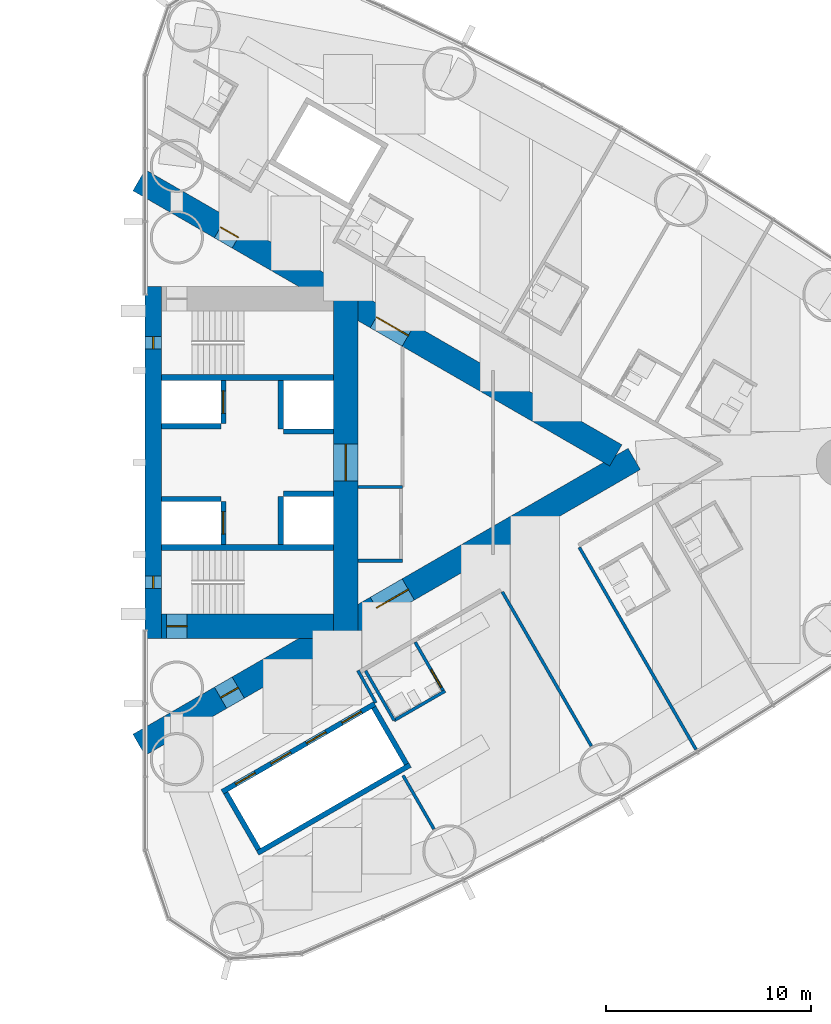
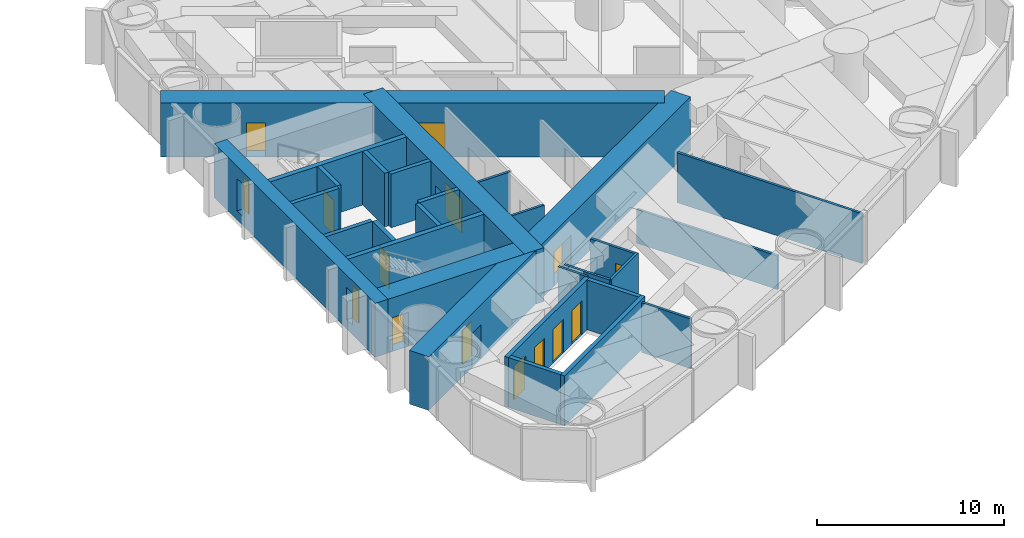
# One storey, part 13 of 18: 28 walls, 13 doors, 2 windows, 15 openings.
"""IFC4 building model written with IfcOpenShell, lengths in metres."""

from ifc_helpers import new_model, si_unit, direction, frame, frame_2d, origin, place, context, subcontext, project, spatial, rectangle, extrude, material, layer, layer_set, type_object, element, fill, save


model = new_model("IFC4")

# Units and contexts
model_context = context("Model", 3, precision=1e-05, world=origin(), true_north=direction((0.0, 1.0)))
body_context = subcontext(model_context, "Body", "Model", "MODEL_VIEW")
ifc_project = project(units=[si_unit("LENGTHUNIT", "METRE"), si_unit("AREAUNIT", "SQUARE_METRE"), si_unit("VOLUMEUNIT", "CUBIC_METRE"), si_unit("PLANEANGLEUNIT", "RADIAN"), si_unit("MASSUNIT", "GRAM", prefix="KILO")], contexts=[model_context])

# Site, building, storey
site_placement = place(None, origin())
site = spatial("IfcSite", under=ifc_project, at=site_placement, CompositionType="ELEMENT")
building_placement = place(site_placement, origin())
building = spatial("IfcBuilding", under=site, at=building_placement, Name="Lancet Gate Hotel", CompositionType="ELEMENT")
storey_placement = place(building_placement, frame((0.0, 0.0, 104.60009765625)))
storey = spatial("IfcBuildingStorey", under=building, at=storey_placement, Name="L27", CompositionType="ELEMENT", Elevation=104.60009765625)

# Wall
ifc_material_1 = material(Name="Moisture resistant board partition")
ifc_layer_1 = layer(ifc_material_1, 0.14990234375)
ifc_layer_set_1 = layer_set([ifc_layer_1], Name="Bathroom wall 150")
wall_type_1 = type_object("IfcWallType", Name="Bathroom wall 150", PredefinedType="PARTITIONING", material=ifc_layer_set_1)
wall_1_placement = place(storey_placement, frame((39.669921875, -12.60498046875, 0.0), z_axis=(0.0, 0.0, 1.0), x_axis=(0.866018712932, 0.500011588718, 0.0)))
element("IfcWall", 1, at=wall_1_placement, inside=storey, type_object=wall_type_1, Name="T2 bathroom wall 150 L27", PredefinedType="PARTITIONING", context=body_context, shape_type="SweptSolid", body=[
    extrude(rectangle(XDim=2.875, YDim=0.14990234375, at=frame_2d((1.4375, 0.0))), origin(), (0.0, 0.0, 1.0), 3.25),
])

# Wall, opening, door
wall_2_placement = place(storey_placement, frame((40.694580078125, -8.780029296875, 0.0), z_axis=(0.0, 0.0, 1.0), x_axis=(0.500049511043, -0.865996816683, 0.0)))
wall_2 = element("IfcWall", 2, at=wall_2_placement, inside=storey, type_object=wall_type_1, Name="T2 bathroom wall 150 L27", PredefinedType="PARTITIONING", context=body_context, shape_type="SweptSolid", body=[
    extrude(rectangle(XDim=2.800048828125, YDim=0.14990234375, at=frame_2d((1.39990234375, 0.0))), origin(), (0.0, 0.0, 1.0), 3.25),
])
opening_1_placement = place(wall_2_placement, frame((1.550048828125, 0.0, 0.0)))
opening_1 = element("IfcOpeningElement", 3, at=opening_1_placement, cuts=wall_2, Name="Opening 2753-B", PredefinedType="OPENING", context=body_context, shape_type="SweptSolid", body=[
    extrude(rectangle(XDim=1.0, YDim=2.199951171875, at=frame_2d((0.5, 1.10009765625))), frame((0.0, 0.0849609375, 0.0), z_axis=(0.0, -1.0, 0.0), x_axis=(1.0, 0.0, 0.0)), (0.0, 0.0, 1.0), 0.169921875),
])
ifc_material_2 = material(Name="Timber door set", Category="wood")
door_type_1 = type_object("IfcDoorType", Name="Accessible en-suite door 1000", OperationType="SINGLE_SWING_RIGHT", PredefinedType="DOOR", material=ifc_material_2)
door_1_placement = place(opening_1_placement, origin())
door_1 = element("IfcDoor", 4, at=door_1_placement, inside=storey, type_object=door_type_1, Name="2753-B", OperationType="SINGLE_SWING_RIGHT", OverallHeight=2.199951171875, OverallWidth=1.0, PredefinedType="DOOR", context=body_context, shape_type="SweptSolid", body=[
    extrude(rectangle(XDim=1.0, YDim=2.199951171875, at=frame_2d((0.5, 1.10009765625))), frame((0.0, 0.02490234375, 0.0), z_axis=(0.0, -1.0, 0.0), x_axis=(1.0, 0.0, 0.0)), (0.0, 0.0, 1.0), 0.050048828125),
])
fill(opening_1, door_1)

# Wall
wall_3_placement = place(storey_placement, frame((38.269775390625, -10.18017578125, 0.0), z_axis=(0.0, 0.0, 1.0), x_axis=(0.500049511043, -0.865996816683, 0.0)))
element("IfcWall", 5, at=wall_3_placement, inside=storey, type_object=wall_type_1, Name="T2 bathroom wall 150 L27", PredefinedType="PARTITIONING", context=body_context, shape_type="SweptSolid", body=[
    extrude(rectangle(XDim=2.800048828125, YDim=0.14990234375, at=frame_2d((1.39990234375, 0.0))), origin(), (0.0, 0.0, 1.0), 3.25),
])

# Wall, openings, doors
ifc_material_3 = material(Name="Concrete C70/85", Category="concrete")
ifc_layer_2 = layer(ifc_material_3, 1.199951171875)
ifc_layer_set_2 = layer_set([ifc_layer_2], Name="Buttress wall 1200")
wall_type_2 = type_object("IfcWallType", Name="Buttress wall 1200", PredefinedType="SHEAR", material=ifc_layer_set_2)
wall_4_placement = place(storey_placement, frame((27.199951171875, -13.800048828125, 0.0), z_axis=(0.0, 0.0, 1.0), x_axis=(0.866027159892, 0.499996958321, 0.0)))
wall_4 = element("IfcWall", 6, at=wall_4_placement, inside=storey, type_object=wall_type_2, Name="T2 buttress wall S L27", PredefinedType="SHEAR", context=body_context, shape_type="SweptSolid", body=[
    extrude(rectangle(XDim=27.946533203125, YDim=1.199951171875, at=frame_2d((13.97314453125, 0.0))), origin(), (0.0, 0.0, 1.0), 3.5),
])
opening_2_placement = place(wall_4_placement, frame((4.60009765625, 0.0, 0.0)))
opening_2 = element("IfcOpeningElement", 7, at=opening_2_placement, cuts=wall_4, Name="Opening T2-L27-LS", PredefinedType="OPENING", context=body_context, shape_type="SweptSolid", body=[
    extrude(rectangle(XDim=1.0, YDim=2.199951171875, at=frame_2d((0.5, 1.10009765625))), frame((0.0, 0.60986328125, 0.0), z_axis=(0.0, -1.0, 0.0), x_axis=(1.0, 0.0, 0.0)), (0.0, 0.0, 1.0), 1.219970703125),
])
opening_3_placement = place(wall_4_placement, frame((13.39453125, 0.0, 0.0)))
opening_3 = element("IfcOpeningElement", 8, at=opening_3_placement, cuts=wall_4, Name="Opening T2-L27-LHS", PredefinedType="OPENING", context=body_context, shape_type="SweptSolid", body=[
    extrude(rectangle(XDim=1.800048828125, YDim=2.199951171875, at=frame_2d((0.89990234375, 1.10009765625))), frame((0.0, 0.60986328125, 0.0), z_axis=(0.0, -1.0, 0.0), x_axis=(1.0, 0.0, 0.0)), (0.0, 0.0, 1.0), 1.219970703125),
])
ifc_material_4 = material(Name="Timber door set", Category="wood")
door_type_2 = type_object("IfcDoorType", Name="Lobby double door 1800", OperationType="DOUBLE_DOOR_SINGLE_SWING", PredefinedType="DOOR", material=ifc_material_4)
door_2_placement = place(opening_3_placement, origin())
door_2 = element("IfcDoor", 9, at=door_2_placement, inside=storey, type_object=door_type_2, Name="T2-L27-LHS", OperationType="DOUBLE_DOOR_SINGLE_SWING", OverallHeight=2.199951171875, OverallWidth=1.800048828125, PredefinedType="DOOR", context=body_context, shape_type="SweptSolid", body=[
    extrude(rectangle(XDim=1.800048828125, YDim=2.199951171875, at=frame_2d((0.89990234375, 1.10009765625))), frame((0.0, 0.02490234375, 0.0), z_axis=(0.0, -1.0, 0.0), x_axis=(1.0, 0.0, 0.0)), (0.0, 0.0, 1.0), 0.050048828125),
])
fill(opening_3, door_2)
ifc_material_5 = material(Name="Timber door set", Category="wood")
door_type_3 = type_object("IfcDoorType", Name="Stair lobby door 1000", OperationType="SINGLE_SWING_LEFT", PredefinedType="DOOR", material=ifc_material_5)
door_3_placement = place(opening_2_placement, origin())
door_3 = element("IfcDoor", 10, at=door_3_placement, inside=storey, type_object=door_type_3, Name="T2-L27-LS", OperationType="SINGLE_SWING_LEFT", OverallHeight=2.199951171875, OverallWidth=1.0, PredefinedType="DOOR", context=body_context, shape_type="SweptSolid", body=[
    extrude(rectangle(XDim=1.0, YDim=2.199951171875, at=frame_2d((0.5, 1.10009765625))), frame((0.0, 0.02490234375, 0.0), z_axis=(0.0, -1.0, 0.0), x_axis=(1.0, 0.0, 0.0)), (0.0, 0.0, 1.0), 0.050048828125),
])
fill(opening_2, door_3)

wall_5_placement = place(storey_placement, frame((27.199951171875, 13.800048828125, 0.0), z_axis=(0.0, 0.0, 1.0), x_axis=(0.866024515034, -0.500001539357, 0.0)))
wall_5 = element("IfcWall", 11, at=wall_5_placement, inside=storey, type_object=wall_type_2, Name="T2 buttress wall N L27", PredefinedType="SHEAR", context=body_context, shape_type="SweptSolid", body=[
    extrude(rectangle(XDim=26.9072265625, YDim=1.199951171875, at=frame_2d((13.45361328125, 0.0))), origin(), (0.0, 0.0, 1.0), 3.5),
])
opening_4_placement = place(wall_5_placement, frame((4.60009765625, 0.0, 0.0)))
opening_4 = element("IfcOpeningElement", 12, at=opening_4_placement, cuts=wall_5, Name="Opening T2-L27-LN", PredefinedType="OPENING", context=body_context, shape_type="SweptSolid", body=[
    extrude(rectangle(XDim=1.0, YDim=2.199951171875, at=frame_2d((0.5, 1.10009765625))), frame((0.0, 0.60986328125, 0.0), z_axis=(0.0, -1.0, 0.0), x_axis=(1.0, 0.0, 0.0)), (0.0, 0.0, 1.0), 1.219970703125),
])
opening_5_placement = place(wall_5_placement, frame((13.39453125, 0.0, 0.0)))
opening_5 = element("IfcOpeningElement", 13, at=opening_5_placement, cuts=wall_5, Name="Opening T2-L27-LHN", PredefinedType="OPENING", context=body_context, shape_type="SweptSolid", body=[
    extrude(rectangle(XDim=1.800048828125, YDim=2.199951171875, at=frame_2d((0.89990234375, 1.10009765625))), frame((0.0, 0.60986328125, 0.0), z_axis=(0.0, -1.0, 0.0), x_axis=(1.0, 0.0, 0.0)), (0.0, 0.0, 1.0), 1.219970703125),
])
door_4_placement = place(opening_5_placement, origin())
door_4 = element("IfcDoor", 14, at=door_4_placement, inside=storey, type_object=door_type_2, Name="T2-L27-LHN", OperationType="DOUBLE_DOOR_SINGLE_SWING", OverallHeight=2.199951171875, OverallWidth=1.800048828125, PredefinedType="DOOR", context=body_context, shape_type="SweptSolid", body=[
    extrude(rectangle(XDim=1.800048828125, YDim=2.199951171875, at=frame_2d((0.89990234375, 1.10009765625))), frame((0.0, 0.02490234375, 0.0), z_axis=(0.0, -1.0, 0.0), x_axis=(1.0, 0.0, 0.0)), (0.0, 0.0, 1.0), 0.050048828125),
])
fill(opening_5, door_4)
door_5_placement = place(opening_4_placement, origin())
door_5 = element("IfcDoor", 15, at=door_5_placement, inside=storey, type_object=door_type_3, Name="T2-L27-LN", OperationType="SINGLE_SWING_LEFT", OverallHeight=2.199951171875, OverallWidth=1.0, PredefinedType="DOOR", context=body_context, shape_type="SweptSolid", body=[
    extrude(rectangle(XDim=1.0, YDim=2.199951171875, at=frame_2d((0.5, 1.10009765625))), frame((0.0, 0.02490234375, 0.0), z_axis=(0.0, -1.0, 0.0), x_axis=(1.0, 0.0, 0.0)), (0.0, 0.0, 1.0), 0.050048828125),
])
fill(opening_4, door_5)

# Wall, opening, door
ifc_material_6 = material(Name="Concrete C70/85", Category="concrete")
ifc_layer_3 = layer(ifc_material_6, 1.199951171875)
ifc_layer_set_3 = layer_set([ifc_layer_3], Name="Core wall 1200")
wall_type_3 = type_object("IfcWallType", Name="Core wall 1200", PredefinedType="SHEAR", material=ifc_layer_set_3)
wall_6_placement = place(storey_placement, frame((37.300048828125, -8.60009765625, 0.0), z_axis=(0.0, 0.0, 1.0), x_axis=(0.0, 1.0, 0.0)))
wall_6 = element("IfcWall", 16, at=wall_6_placement, inside=storey, type_object=wall_type_3, Name="T2 core wall back L27", PredefinedType="SHEAR", context=body_context, shape_type="SweptSolid", body=[
    extrude(rectangle(XDim=17.2001953125, YDim=1.199951171875, at=frame_2d((8.60009765625, 0.0))), origin(), (0.0, 0.0, 1.0), 3.5),
])
opening_6_placement = place(wall_6_placement, frame((7.699951171875, 0.0, 0.0)))
opening_6 = element("IfcOpeningElement", 17, at=opening_6_placement, cuts=wall_6, Name="Opening T2-L27-LL", PredefinedType="OPENING", context=body_context, shape_type="SweptSolid", body=[
    extrude(rectangle(XDim=1.800048828125, YDim=2.199951171875, at=frame_2d((0.89990234375, 1.10009765625))), frame((0.0, 0.60986328125, 0.0), z_axis=(0.0, -1.0, 0.0), x_axis=(1.0, 0.0, 0.0)), (0.0, 0.0, 1.0), 1.219970703125),
])
door_6_placement = place(opening_6_placement, origin())
door_6 = element("IfcDoor", 18, at=door_6_placement, inside=storey, type_object=door_type_2, Name="T2-L27-LL", OperationType="DOUBLE_DOOR_SINGLE_SWING", OverallHeight=2.199951171875, OverallWidth=1.800048828125, PredefinedType="DOOR", context=body_context, shape_type="SweptSolid", body=[
    extrude(rectangle(XDim=1.800048828125, YDim=2.199951171875, at=frame_2d((0.89990234375, 1.10009765625))), frame((0.0, 0.02490234375, 0.0), z_axis=(0.0, -1.0, 0.0), x_axis=(1.0, 0.0, 0.0)), (0.0, 0.0, 1.0), 0.050048828125),
])
fill(opening_6, door_6)

wall_7_placement = place(storey_placement, frame((28.300048828125, -8.0, 0.0), z_axis=(0.0, 0.0, 1.0), x_axis=(1.0, 0.0, 0.0)))
wall_7 = element("IfcWall", 19, at=wall_7_placement, inside=storey, type_object=wall_type_3, Name="T2 core wall side-S L27", PredefinedType="SHEAR", context=body_context, shape_type="SweptSolid", body=[
    extrude(rectangle(XDim=8.39990234375, YDim=1.199951171875, at=frame_2d((4.199951171875, 0.0))), origin(), (0.0, 0.0, 1.0), 3.5),
])
opening_7_placement = place(wall_7_placement, frame((0.25, 0.0, 0.0)))
opening_7 = element("IfcOpeningElement", 20, at=opening_7_placement, cuts=wall_7, Name="Opening T2-L27-ST1", PredefinedType="OPENING", context=body_context, shape_type="SweptSolid", body=[
    extrude(rectangle(XDim=1.0, YDim=2.199951171875, at=frame_2d((0.5, 1.10009765625))), frame((0.0, 0.60986328125, 0.0), z_axis=(0.0, -1.0, 0.0), x_axis=(1.0, 0.0, 0.0)), (0.0, 0.0, 1.0), 1.219970703125),
])
ifc_material_7 = material(Name="Timber door set", Category="wood")
door_type_4 = type_object("IfcDoorType", Name="Stair door 1000", OperationType="SINGLE_SWING_RIGHT", PredefinedType="DOOR", material=ifc_material_7)
door_7_placement = place(opening_7_placement, origin())
door_7 = element("IfcDoor", 21, at=door_7_placement, inside=storey, type_object=door_type_4, Name="T2-L27-ST1", OperationType="SINGLE_SWING_RIGHT", OverallHeight=2.199951171875, OverallWidth=1.0, PredefinedType="DOOR", context=body_context, shape_type="SweptSolid", body=[
    extrude(rectangle(XDim=1.0, YDim=2.199951171875, at=frame_2d((0.5, 1.10009765625))), frame((0.0, 0.02490234375, 0.0), z_axis=(0.0, -1.0, 0.0), x_axis=(1.0, 0.0, 0.0)), (0.0, 0.0, 1.0), 0.050048828125),
])
fill(opening_7, door_7)

# Wall, openings, windows
ifc_material_8 = material(Name="Concrete C70/85", Category="concrete")
ifc_layer_4 = layer(ifc_material_8, 0.800048828125)
ifc_layer_set_4 = layer_set([ifc_layer_4], Name="Core wall 800")
wall_type_4 = type_object("IfcWallType", Name="Core wall 800", PredefinedType="SHEAR", material=ifc_layer_set_4)
wall_8_placement = place(storey_placement, frame((27.89990234375, -8.60009765625, 0.0), z_axis=(0.0, 0.0, 1.0), x_axis=(0.0, 1.0, 0.0)))
wall_8 = element("IfcWall", 22, at=wall_8_placement, inside=storey, type_object=wall_type_4, Name="T2 core wall front L27", PredefinedType="SHEAR", context=body_context, shape_type="SweptSolid", body=[
    extrude(rectangle(XDim=17.2001953125, YDim=0.800048828125, at=frame_2d((8.60009765625, 0.0))), origin(), (0.0, 0.0, 1.0), 3.5),
])
opening_8_placement = place(wall_8_placement, frame((2.449951171875, 0.0, 0.60009765625)))
opening_8 = element("IfcOpeningElement", 23, at=opening_8_placement, cuts=wall_8, Name="Opening LW1", PredefinedType="OPENING", context=body_context, shape_type="SweptSolid", body=[
    extrude(rectangle(XDim=0.60009765625, YDim=2.10009765625, at=frame_2d((0.300048828125, 1.050048828125))), frame((0.0, 0.409912109375, 0.0), z_axis=(0.0, -1.0, 0.0), x_axis=(1.0, 0.0, 0.0)), (0.0, 0.0, 1.0), 0.820068359375),
])
opening_9_placement = place(wall_8_placement, frame((14.14990234375, 0.0, 0.60009765625)))
opening_9 = element("IfcOpeningElement", 24, at=opening_9_placement, cuts=wall_8, Name="Opening LW1", PredefinedType="OPENING", context=body_context, shape_type="SweptSolid", body=[
    extrude(rectangle(XDim=0.60009765625, YDim=2.10009765625, at=frame_2d((0.300048828125, 1.050048828125))), frame((0.0, 0.409912109375, 0.0), z_axis=(0.0, -1.0, 0.0), x_axis=(1.0, 0.0, 0.0)), (0.0, 0.0, 1.0), 0.820068359375),
])
ifc_material_9 = material(Name="Fire-resisting glazed steel window", Category="steel")
window_type = type_object("IfcWindowType", Name="Lancet window 600x2100", PartitioningType="SINGLE_PANEL", PredefinedType="WINDOW", material=ifc_material_9)
window_1_placement = place(opening_8_placement, origin())
window_1 = element("IfcWindow", 25, at=window_1_placement, inside=storey, type_object=window_type, Name="T2 stair window S L27", OverallHeight=2.10009765625, OverallWidth=0.60009765625, PartitioningType="SINGLE_PANEL", PredefinedType="WINDOW", context=body_context, shape_type="SweptSolid", body=[
    extrude(rectangle(XDim=0.60009765625, YDim=2.10009765625, at=frame_2d((0.300048828125, 1.050048828125))), frame((0.0, 0.030029296875, 0.0), z_axis=(0.0, -1.0, 0.0), x_axis=(1.0, 0.0, 0.0)), (0.0, 0.0, 1.0), 0.06005859375),
])
fill(opening_8, window_1)
window_2_placement = place(opening_9_placement, origin())
window_2 = element("IfcWindow", 26, at=window_2_placement, inside=storey, type_object=window_type, Name="T2 stair window N L27", OverallHeight=2.10009765625, OverallWidth=0.60009765625, PartitioningType="SINGLE_PANEL", PredefinedType="WINDOW", context=body_context, shape_type="SweptSolid", body=[
    extrude(rectangle(XDim=0.60009765625, YDim=2.10009765625, at=frame_2d((0.300048828125, 1.050048828125))), frame((0.0, 0.030029296875, 0.0), z_axis=(0.0, -1.0, 0.0), x_axis=(1.0, 0.0, 0.0)), (0.0, 0.0, 1.0), 0.06005859375),
])
fill(opening_9, window_2)

# Wall, openings, doors
ifc_material_10 = material(Name="Gypsum board partition")
ifc_layer_5 = layer(ifc_material_10, 0.25)
ifc_layer_set_5 = layer_set([ifc_layer_5], Name="Lift shaft partition 250")
wall_type_5 = type_object("IfcWallType", Name="Lift shaft partition 250", PredefinedType="PARTITIONING", material=ifc_layer_set_5)
wall_9_placement = place(storey_placement, frame((31.2705078125, -16.09716796875, 0.0), z_axis=(0.0, 0.0, 1.0), x_axis=(0.86604045752, 0.499973925258, 0.0)))
wall_9 = element("IfcWall", 27, at=wall_9_placement, inside=storey, type_object=wall_type_5, Name="T2 lift shaft wall LR L27", PredefinedType="PARTITIONING", context=body_context, shape_type="SweptSolid", body=[
    extrude(rectangle(XDim=8.60009765625, YDim=0.25, at=frame_2d((4.300048828125, 0.0))), origin(), (0.0, 0.0, 1.0), 3.25),
])
opening_10_placement = place(wall_9_placement, frame((0.75, 0.0, 0.0)))
opening_10 = element("IfcOpeningElement", 28, at=opening_10_placement, cuts=wall_9, Name="Opening T2-LR1-L27", PredefinedType="OPENING", context=body_context, shape_type="SweptSolid", body=[
    extrude(rectangle(XDim=1.10009765625, YDim=2.199951171875, at=frame_2d((0.550048828125, 1.10009765625))), frame((0.0, 0.135009765625, 0.0), z_axis=(0.0, -1.0, 0.0), x_axis=(1.0, 0.0, 0.0)), (0.0, 0.0, 1.0), 0.27001953125),
])
opening_11_placement = place(wall_9_placement, frame((2.75, 0.0, 0.0)))
opening_11 = element("IfcOpeningElement", 29, at=opening_11_placement, cuts=wall_9, Name="Opening T2-LR2-L27", PredefinedType="OPENING", context=body_context, shape_type="SweptSolid", body=[
    extrude(rectangle(XDim=1.10009765625, YDim=2.199951171875, at=frame_2d((0.550048828125, 1.10009765625))), frame((0.0, 0.135009765625, 0.0), z_axis=(0.0, -1.0, 0.0), x_axis=(1.0, 0.0, 0.0)), (0.0, 0.0, 1.0), 0.27001953125),
])
opening_12_placement = place(wall_9_placement, frame((4.75, 0.0, 0.0)))
opening_12 = element("IfcOpeningElement", 30, at=opening_12_placement, cuts=wall_9, Name="Opening T2-LR3-L27", PredefinedType="OPENING", context=body_context, shape_type="SweptSolid", body=[
    extrude(rectangle(XDim=1.10009765625, YDim=2.199951171875, at=frame_2d((0.550048828125, 1.10009765625))), frame((0.0, 0.135009765625, 0.0), z_axis=(0.0, -1.0, 0.0), x_axis=(1.0, 0.0, 0.0)), (0.0, 0.0, 1.0), 0.27001953125),
])
opening_13_placement = place(wall_9_placement, frame((6.75, 0.0, 0.0)))
opening_13 = element("IfcOpeningElement", 31, at=opening_13_placement, cuts=wall_9, Name="Opening T2-LR4-L27", PredefinedType="OPENING", context=body_context, shape_type="SweptSolid", body=[
    extrude(rectangle(XDim=1.10009765625, YDim=2.199951171875, at=frame_2d((0.550048828125, 1.10009765625))), frame((0.0, 0.135009765625, 0.0), z_axis=(0.0, -1.0, 0.0), x_axis=(1.0, 0.0, 0.0)), (0.0, 0.0, 1.0), 0.27001953125),
])
ifc_material_11 = material(Name="Steel door set", Category="steel")
door_type_5 = type_object("IfcDoorType", Name="Lift landing door 1100", OperationType="DOUBLE_DOOR_SLIDING", PredefinedType="USERDEFINED", material=ifc_material_11)
door_8_placement = place(opening_10_placement, origin())
door_8 = element("IfcDoor", 32, at=door_8_placement, inside=storey, type_object=door_type_5, Name="T2-LR1-L27", ObjectType="LIFT LANDING DOOR", OperationType="DOUBLE_DOOR_SLIDING", OverallHeight=2.199951171875, OverallWidth=1.10009765625, PredefinedType="USERDEFINED", context=body_context, shape_type="SweptSolid", body=[
    extrude(rectangle(XDim=1.10009765625, YDim=2.199951171875, at=frame_2d((0.550048828125, 1.10009765625))), frame((0.0, 0.02490234375, 0.0), z_axis=(0.0, -1.0, 0.0), x_axis=(1.0, 0.0, 0.0)), (0.0, 0.0, 1.0), 0.050048828125),
])
fill(opening_10, door_8)
door_9_placement = place(opening_11_placement, origin())
door_9 = element("IfcDoor", 33, at=door_9_placement, inside=storey, type_object=door_type_5, Name="T2-LR2-L27", ObjectType="LIFT LANDING DOOR", OperationType="DOUBLE_DOOR_SLIDING", OverallHeight=2.199951171875, OverallWidth=1.10009765625, PredefinedType="USERDEFINED", context=body_context, shape_type="SweptSolid", body=[
    extrude(rectangle(XDim=1.10009765625, YDim=2.199951171875, at=frame_2d((0.550048828125, 1.10009765625))), frame((0.0, 0.02490234375, 0.0), z_axis=(0.0, -1.0, 0.0), x_axis=(1.0, 0.0, 0.0)), (0.0, 0.0, 1.0), 0.050048828125),
])
fill(opening_11, door_9)
door_10_placement = place(opening_12_placement, origin())
door_10 = element("IfcDoor", 34, at=door_10_placement, inside=storey, type_object=door_type_5, Name="T2-LR3-L27", ObjectType="LIFT LANDING DOOR", OperationType="DOUBLE_DOOR_SLIDING", OverallHeight=2.199951171875, OverallWidth=1.10009765625, PredefinedType="USERDEFINED", context=body_context, shape_type="SweptSolid", body=[
    extrude(rectangle(XDim=1.10009765625, YDim=2.199951171875, at=frame_2d((0.550048828125, 1.10009765625))), frame((0.0, 0.02490234375, 0.0), z_axis=(0.0, -1.0, 0.0), x_axis=(1.0, 0.0, 0.0)), (0.0, 0.0, 1.0), 0.050048828125),
])
fill(opening_12, door_10)
door_11_placement = place(opening_13_placement, origin())
door_11 = element("IfcDoor", 35, at=door_11_placement, inside=storey, type_object=door_type_5, Name="T2-LR4-L27", ObjectType="LIFT LANDING DOOR", OperationType="DOUBLE_DOOR_SLIDING", OverallHeight=2.199951171875, OverallWidth=1.10009765625, PredefinedType="USERDEFINED", context=body_context, shape_type="SweptSolid", body=[
    extrude(rectangle(XDim=1.10009765625, YDim=2.199951171875, at=frame_2d((0.550048828125, 1.10009765625))), frame((0.0, 0.02490234375, 0.0), z_axis=(0.0, -1.0, 0.0), x_axis=(1.0, 0.0, 0.0)), (0.0, 0.0, 1.0), 0.050048828125),
])
fill(opening_13, door_11)

# Walls
wall_10_placement = place(storey_placement, frame((32.99560546875, -19.085693359375, 0.0), z_axis=(0.0, 0.0, 1.0), x_axis=(0.866028165386, 0.499995216735, 0.0)))
element("IfcWall", 36, at=wall_10_placement, inside=storey, type_object=wall_type_5, Name="T2 lift shaft wall LR L27", PredefinedType="PARTITIONING", context=body_context, shape_type="SweptSolid", body=[
    extrude(rectangle(XDim=8.60009765625, YDim=0.25, at=frame_2d((4.300048828125, 0.0))), origin(), (0.0, 0.0, 1.0), 3.25),
])
for number, where, z_axis, x_axis, name in (
    (37, (31.441162109375, -16.14306640625, 0.0), (0.0, 0.0, 1.0), (0.499929347863, -0.866066190972, 0.0), "T2 lift shaft wall LR L27"),
    (38, (38.672607421875, -11.968017578125, 0.0), (0.0, 0.0, 1.0), (0.499929347863, -0.866066190972, 0.0), "T2 lift shaft wall LR L27"),
):
    element("IfcWall", number, at=place(storey_placement, frame(where, z_axis=z_axis, x_axis=x_axis)), inside=storey, type_object=wall_type_5, Name=name, PredefinedType="PARTITIONING", context=body_context, shape_type="SweptSolid", body=[
        extrude(rectangle(XDim=3.20068359375, YDim=0.25, at=frame_2d((1.600341796875, 0.0))), origin(), (0.0, 0.0, 1.0), 3.25),
    ])

# Wall, opening, door
ifc_material_12 = material(Name="Concrete C50/60", Category="concrete")
ifc_layer_6 = layer(ifc_material_12, 0.25)
ifc_layer_set_6 = layer_set([ifc_layer_6], Name="Lift shaft wall 250")
wall_type_6 = type_object("IfcWallType", Name="Lift shaft wall 250", PredefinedType="SHEAR", material=ifc_layer_set_6)
wall_11_placement = place(storey_placement, frame((31.324951171875, -4.0, 0.0), z_axis=(0.0, 0.0, 1.0), x_axis=(0.0, 1.0, 0.0)))
wall_11 = element("IfcWall", 39, at=wall_11_placement, inside=storey, type_object=wall_type_6, Name="T2 core wall row1-S L27", PredefinedType="SHEAR", context=body_context, shape_type="SweptSolid", body=[
    extrude(rectangle(XDim=2.10009765625, YDim=0.25, at=frame_2d((1.050048828125, 0.0))), origin(), (0.0, 0.0, 1.0), 3.5),
])
opening_14_placement = place(wall_11_placement, frame((0.5, 0.0, 0.0)))
opening_14 = element("IfcOpeningElement", 40, at=opening_14_placement, cuts=wall_11, Name="Opening T2-SL1-L27", PredefinedType="OPENING", context=body_context, shape_type="SweptSolid", body=[
    extrude(rectangle(XDim=1.10009765625, YDim=2.199951171875, at=frame_2d((0.550048828125, 1.10009765625))), frame((0.0, 0.135009765625, 0.0), z_axis=(0.0, -1.0, 0.0), x_axis=(1.0, 0.0, 0.0)), (0.0, 0.0, 1.0), 0.27001953125),
])
ifc_material_13 = material(Name="Timber door set", Category="wood")
door_type_6 = type_object("IfcDoorType", Name="Service lift landing door 1100", OperationType="SLIDING_TO_LEFT", PredefinedType="USERDEFINED", material=ifc_material_13)
door_12_placement = place(opening_14_placement, origin())
door_12 = element("IfcDoor", 41, at=door_12_placement, inside=storey, type_object=door_type_6, Name="T2-SL1-L27", ObjectType="LIFT LANDING DOOR", OperationType="SLIDING_TO_LEFT", OverallHeight=2.199951171875, OverallWidth=1.10009765625, PredefinedType="USERDEFINED", context=body_context, shape_type="SweptSolid", body=[
    extrude(rectangle(XDim=1.10009765625, YDim=2.199951171875, at=frame_2d((0.550048828125, 1.10009765625))), frame((0.0, 0.02490234375, 0.0), z_axis=(0.0, -1.0, 0.0), x_axis=(1.0, 0.0, 0.0)), (0.0, 0.0, 1.0), 0.050048828125),
])
fill(opening_14, door_12)

# Walls
wall_12_placement = place(storey_placement, frame((34.125, -4.0, 0.0), z_axis=(0.0, 0.0, 1.0), x_axis=(0.0, 1.0, 0.0)))
element("IfcWall", 42, at=wall_12_placement, inside=storey, type_object=wall_type_6, Name="T2 core wall row2-S L27", PredefinedType="SHEAR", context=body_context, shape_type="SweptSolid", body=[
    extrude(rectangle(XDim=2.35009765625, YDim=0.25, at=frame_2d((1.175048828125, 0.0))), origin(), (0.0, 0.0, 1.0), 3.5),
])
wall_13_placement = place(storey_placement, frame((28.300048828125, -1.77490234375, 0.0), z_axis=(0.0, 0.0, 1.0), x_axis=(1.0, 0.0, 0.0)))
element("IfcWall", 43, at=wall_13_placement, inside=storey, type_object=wall_type_6, Name="T2 core wall pass1-S L27", PredefinedType="SHEAR", context=body_context, shape_type="SweptSolid", body=[
    extrude(rectangle(XDim=2.89990234375, YDim=0.25, at=frame_2d((1.449951171875, 0.0))), origin(), (0.0, 0.0, 1.0), 3.5),
])
wall_14_placement = place(storey_placement, frame((34.25, -1.52490234375, 0.0), z_axis=(0.0, 0.0, 1.0), x_axis=(1.0, 0.0, 0.0)))
element("IfcWall", 44, at=wall_14_placement, inside=storey, type_object=wall_type_6, Name="T2 core wall pass2-S L27", PredefinedType="SHEAR", context=body_context, shape_type="SweptSolid", body=[
    extrude(rectangle(XDim=2.449951171875, YDim=0.25, at=frame_2d((1.22509765625, 0.0))), origin(), (0.0, 0.0, 1.0), 3.5),
])

# Wall, opening, door
wall_15_placement = place(storey_placement, frame((31.324951171875, 1.89990234375, 0.0), z_axis=(0.0, 0.0, 1.0), x_axis=(0.0, 1.0, 0.0)))
wall_15 = element("IfcWall", 45, at=wall_15_placement, inside=storey, type_object=wall_type_6, Name="T2 core wall row1-N L27", PredefinedType="SHEAR", context=body_context, shape_type="SweptSolid", body=[
    extrude(rectangle(XDim=2.10009765625, YDim=0.25, at=frame_2d((1.050048828125, 0.0))), origin(), (0.0, 0.0, 1.0), 3.5),
])
opening_15_placement = place(wall_15_placement, frame((0.5, 0.0, 0.0)))
opening_15 = element("IfcOpeningElement", 46, at=opening_15_placement, cuts=wall_15, Name="Opening T2-FL2-L27", PredefinedType="OPENING", context=body_context, shape_type="SweptSolid", body=[
    extrude(rectangle(XDim=1.10009765625, YDim=2.199951171875, at=frame_2d((0.550048828125, 1.10009765625))), frame((0.0, 0.135009765625, 0.0), z_axis=(0.0, -1.0, 0.0), x_axis=(1.0, 0.0, 0.0)), (0.0, 0.0, 1.0), 0.27001953125),
])
ifc_material_14 = material(Name="Steel door set", Category="steel")
door_type_7 = type_object("IfcDoorType", Name="Firefighting lift landing door 1100", OperationType="SLIDING_TO_LEFT", PredefinedType="USERDEFINED", material=ifc_material_14)
door_13_placement = place(opening_15_placement, origin())
door_13 = element("IfcDoor", 47, at=door_13_placement, inside=storey, type_object=door_type_7, Name="T2-FL2-L27", ObjectType="LIFT LANDING DOOR", OperationType="SLIDING_TO_LEFT", OverallHeight=2.199951171875, OverallWidth=1.10009765625, PredefinedType="USERDEFINED", context=body_context, shape_type="SweptSolid", body=[
    extrude(rectangle(XDim=1.10009765625, YDim=2.199951171875, at=frame_2d((0.550048828125, 1.10009765625))), frame((0.0, 0.02490234375, 0.0), z_axis=(0.0, -1.0, 0.0), x_axis=(1.0, 0.0, 0.0)), (0.0, 0.0, 1.0), 0.050048828125),
])
fill(opening_15, door_13)

# Walls
wall_16_placement = place(storey_placement, frame((34.125, 1.64990234375, 0.0), z_axis=(0.0, 0.0, 1.0), x_axis=(0.0, 1.0, 0.0)))
element("IfcWall", 48, at=wall_16_placement, inside=storey, type_object=wall_type_6, Name="T2 core wall row2-N L27", PredefinedType="SHEAR", context=body_context, shape_type="SweptSolid", body=[
    extrude(rectangle(XDim=2.35009765625, YDim=0.25, at=frame_2d((1.175048828125, 0.0))), origin(), (0.0, 0.0, 1.0), 3.5),
])
wall_17_placement = place(storey_placement, frame((28.300048828125, 1.77490234375, 0.0), z_axis=(0.0, 0.0, 1.0), x_axis=(1.0, 0.0, 0.0)))
element("IfcWall", 49, at=wall_17_placement, inside=storey, type_object=wall_type_6, Name="T2 core wall pass1-N L27", PredefinedType="SHEAR", context=body_context, shape_type="SweptSolid", body=[
    extrude(rectangle(XDim=2.89990234375, YDim=0.25, at=frame_2d((1.449951171875, 0.0))), origin(), (0.0, 0.0, 1.0), 3.5),
])
wall_18_placement = place(storey_placement, frame((34.25, 1.52490234375, 0.0), z_axis=(0.0, 0.0, 1.0), x_axis=(1.0, 0.0, 0.0)))
element("IfcWall", 50, at=wall_18_placement, inside=storey, type_object=wall_type_6, Name="T2 core wall pass2-N L27", PredefinedType="SHEAR", context=body_context, shape_type="SweptSolid", body=[
    extrude(rectangle(XDim=2.449951171875, YDim=0.25, at=frame_2d((1.22509765625, 0.0))), origin(), (0.0, 0.0, 1.0), 3.5),
])
ifc_material_15 = material(Name="Gypsum board partition")
ifc_layer_7 = layer(ifc_material_15, 0.14990234375)
ifc_layer_set_7 = layer_set([ifc_layer_7], Name="Party wall 150")
wall_type_7 = type_object("IfcWallType", Name="Party wall 150", PredefinedType="PARTITIONING", material=ifc_layer_set_7)
wall_19_placement = place(storey_placement, frame((44.95361328125, -6.3212890625, 0.0), z_axis=(0.0, 0.0, 1.0), x_axis=(0.500018676722, -0.866014620505, 0.0)))
element("IfcWall", 51, at=wall_19_placement, inside=storey, type_object=wall_type_7, Name="T2 party wall 150 L27", PredefinedType="PARTITIONING", context=body_context, shape_type="SweptSolid", body=[
    extrude(rectangle(XDim=8.703857421875, YDim=0.14990234375, at=frame_2d((4.35205078125, 0.0))), origin(), (0.0, 0.0, 1.0), 2.199951171875),
])
wall_20_placement = place(storey_placement, frame((48.718505859375, -4.1474609375, 0.0), z_axis=(0.0, 0.0, 1.0), x_axis=(0.499990498062, -0.866030889661, 0.0)))
element("IfcWall", 52, at=wall_20_placement, inside=storey, type_object=wall_type_7, Name="T2 party wall 150 L27", PredefinedType="PARTITIONING", context=body_context, shape_type="SweptSolid", body=[
    extrude(rectangle(XDim=11.406005859375, YDim=0.14990234375, at=frame_2d((5.703125, 0.0))), origin(), (0.0, 0.0, 1.0), 3.25),
])
wall_21_placement = place(storey_placement, frame((40.10546875, -15.298583984375, 0.0), z_axis=(0.0, 0.0, 1.0), x_axis=(0.499978822259, -0.866037630414, 0.0)))
element("IfcWall", 53, at=wall_21_placement, inside=storey, type_object=wall_type_7, Name="T2 party wall 150 L27", PredefinedType="PARTITIONING", context=body_context, shape_type="SweptSolid", body=[
    extrude(rectangle(XDim=3.022705078125, YDim=0.14990234375, at=frame_2d((1.51123046875, 0.0))), origin(), (0.0, 0.0, 1.0), 3.25),
])
ifc_material_16 = material(Name="Gypsum board partition")
ifc_layer_8 = layer(ifc_material_16, 0.14990234375)
ifc_layer_set_8 = layer_set([ifc_layer_8], Name="Service room wall 150")
wall_type_8 = type_object("IfcWallType", Name="Service room wall 150", PredefinedType="PARTITIONING", material=ifc_layer_set_8)
wall_22_placement = place(storey_placement, frame((38.7734375, -11.742431640625, 0.0), z_axis=(0.0, 0.0, 1.0), x_axis=(-0.485528096672, 0.8742210632, 0.0)))
element("IfcWall", 54, at=wall_22_placement, inside=storey, type_object=wall_type_8, Name="T2 service room wall 150 L27", PredefinedType="PARTITIONING", context=body_context, shape_type="SweptSolid", body=[
    extrude(rectangle(XDim=1.80517578125, YDim=0.14990234375, at=frame_2d((0.902587890625, 0.0))), origin(), (0.0, 0.0, 1.0), 3.25),
])
for number, where, z_axis, x_axis, name in (
    (55, (37.89990234375, -1.199951171875, 0.0), (0.0, 0.0, 1.0), (1.0, 0.0, 0.0), "T2 service room wall 150 L27"),
    (56, (37.89990234375, -4.800048828125, 0.0), (0.0, 0.0, 1.0), (1.0, 0.0, 0.0), "T2 service room wall 150 L27"),
):
    element("IfcWall", number, at=place(storey_placement, frame(where, z_axis=z_axis, x_axis=x_axis)), inside=storey, type_object=wall_type_8, Name=name, PredefinedType="PARTITIONING", context=body_context, shape_type="SweptSolid", body=[
        extrude(rectangle(XDim=2.175048828125, YDim=0.14990234375, at=frame_2d((1.08740234375, 0.0))), origin(), (0.0, 0.0, 1.0), 3.25),
    ])
ifc_material_17 = material(Name="Concrete C50/60", Category="concrete")
ifc_layer_9 = layer(ifc_material_17, 0.300048828125)
ifc_layer_set_9 = layer_set([ifc_layer_9], Name="Stair enclosure wall 300")
wall_type_9 = type_object("IfcWallType", Name="Stair enclosure wall 300", PredefinedType="SHEAR", material=ifc_layer_set_9)
for number, where, z_axis, x_axis, name in (
    (57, (28.300048828125, -4.14990234375, 0.0), (0.0, 0.0, 1.0), (1.0, 0.0, 0.0), "T2 core wall stair-S L27"),
    (58, (28.300048828125, 4.14990234375, 0.0), (0.0, 0.0, 1.0), (1.0, 0.0, 0.0), "T2 core wall stair-N L27"),
):
    element("IfcWall", number, at=place(storey_placement, frame(where, z_axis=z_axis, x_axis=x_axis)), inside=storey, type_object=wall_type_9, Name=name, PredefinedType="SHEAR", context=body_context, shape_type="SweptSolid", body=[
        extrude(rectangle(XDim=8.39990234375, YDim=0.300048828125, at=frame_2d((4.199951171875, 0.0))), origin(), (0.0, 0.0, 1.0), 3.5),
    ])

save(model, "model.ifc")
